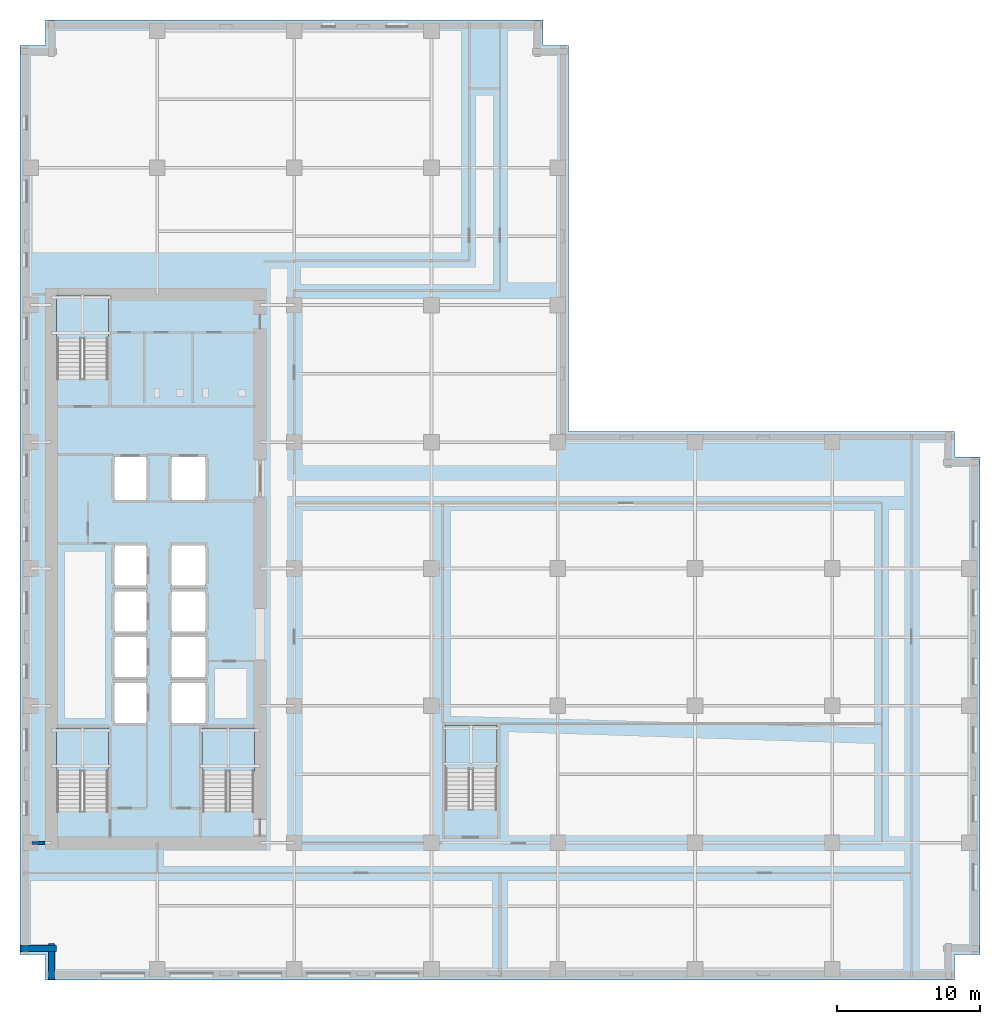
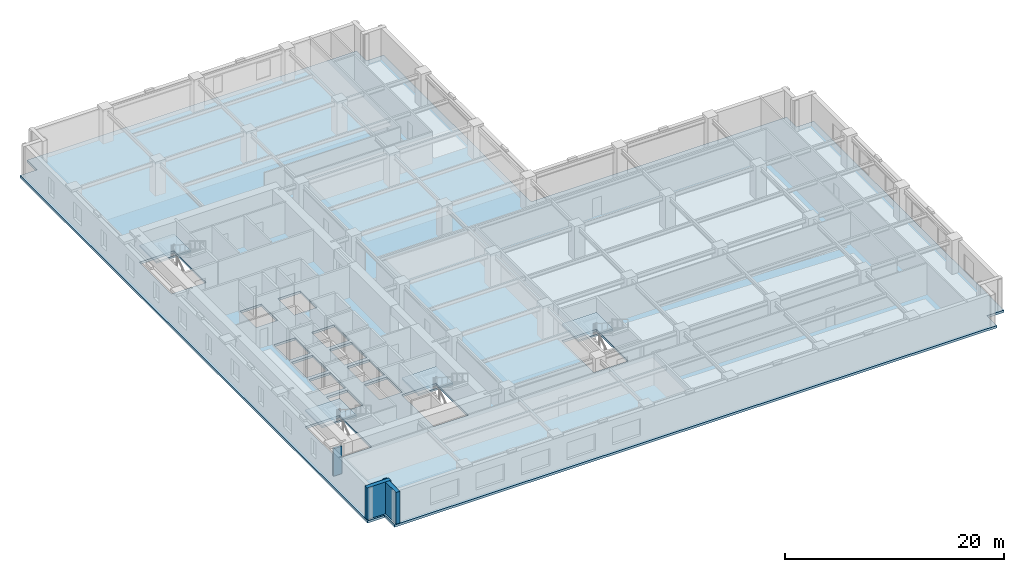
# One storey, part 3 of 13: 5 slabs, 3 walls, 4 elements without a shape of their own.
"""IFC4 building model written with IfcOpenShell, lengths in metres."""

from ifc_helpers import new_model, si_unit, direction, frame, frame_2d, origin, place, context, subcontext, project, spatial, polyline, rectangle, outline, extrude, material, layer, layer_set, type_object, element, aggregate, save


model = new_model("IFC4")

# Units and contexts
model_context = context("Model", 3, precision=1e-05, world=origin(), true_north=direction((0.0, 1.0)))
body_context = subcontext(model_context, "Body", "Model", "MODEL_VIEW")
ifc_project = project(units=[si_unit("LENGTHUNIT", "METRE"), si_unit("AREAUNIT", "SQUARE_METRE"), si_unit("VOLUMEUNIT", "CUBIC_METRE"), si_unit("PLANEANGLEUNIT", "RADIAN"), si_unit("MASSUNIT", "GRAM", prefix="KILO")], contexts=[model_context])

# Site, building, storey
site_placement = place(None, origin())
site = spatial("IfcSite", under=ifc_project, at=site_placement, CompositionType="ELEMENT")
building_placement = place(site_placement, origin())
building = spatial("IfcBuilding", under=site, at=building_placement, Name="Norrvale University Quadrangle", CompositionType="ELEMENT")
storey_placement = place(building_placement, frame((0.0, 0.0, 85.0)))
storey = spatial("IfcBuildingStorey", under=building, at=storey_placement, Name="L21", CompositionType="ELEMENT", Elevation=85.0)

# Stair, slab
ifc_material_1 = material(Name="Concrete C40/50", Category="concrete")
stair_type = type_object("IfcStairType", Name="Stair Tower Typ 3800", PredefinedType="TWO_STRAIGHT_RUN_STAIR", material=ifc_material_1)
stair_1_placement = place(storey_placement, origin())
stair_1 = element("IfcStair", 1, at=stair_1_placement, inside=storey, type_object=stair_type, Name="Exit Stair ST-01 L21", PredefinedType="TWO_STRAIGHT_RUN_STAIR")
ifc_layer_1 = layer(ifc_material_1, 0.199951171875, Name="Concrete C40/50")
ifc_layer_set_1 = layer_set([ifc_layer_1], Name="Concrete C40/50")
slab_type_1 = type_object("IfcSlabType", Name="Slab Landing 200", PredefinedType="LANDING", material=ifc_layer_set_1)
slab_1_placement = place(storey_placement, frame((0.0, 0.0, 1.699951171875)))
slab_1 = element("IfcSlab", 2, at=slab_1_placement, type_object=slab_type_1, Name="Exit Stair ST-01 L21 Mid Landing", PredefinedType="LANDING", context=body_context, shape_type="SweptSolid", body=[
    extrude(outline(polyline([(2.550048828125, 14.590087890625), (6.199951171875, 14.590087890625), (6.199951171875, 17.64990234375), (2.550048828125, 17.64990234375), (2.550048828125, 14.590087890625)])), origin(), (0.0, 0.0, 1.0), 0.199951171875),
])
aggregate(stair_1, [slab_1])

stair_2_placement = place(storey_placement, origin())
stair_2 = element("IfcStair", 3, at=stair_2_placement, inside=storey, type_object=stair_type, Name="Exit Stair ST-02 L21", PredefinedType="TWO_STRAIGHT_RUN_STAIR")
slab_2_placement = place(storey_placement, frame((0.0, 0.0, 1.699951171875)))
slab_2 = element("IfcSlab", 4, at=slab_2_placement, type_object=slab_type_1, Name="Exit Stair ST-02 L21 Mid Landing", PredefinedType="LANDING", context=body_context, shape_type="SweptSolid", body=[
    extrude(outline(polyline([(2.550048828125, 44.889892578125), (6.199951171875, 44.889892578125), (6.199951171875, 47.949951171875), (2.550048828125, 47.949951171875), (2.550048828125, 44.889892578125)])), origin(), (0.0, 0.0, 1.0), 0.199951171875),
])
aggregate(stair_2, [slab_2])

stair_3_placement = place(storey_placement, origin())
stair_3 = element("IfcStair", 5, at=stair_3_placement, inside=storey, type_object=stair_type, Name="Exit Stair ST-03 L21", PredefinedType="TWO_STRAIGHT_RUN_STAIR")
slab_3_placement = place(storey_placement, frame((0.0, 0.0, 1.699951171875)))
slab_3 = element("IfcSlab", 6, at=slab_3_placement, type_object=slab_type_1, Name="Exit Stair ST-03 L21 Mid Landing", PredefinedType="LANDING", context=body_context, shape_type="SweptSolid", body=[
    extrude(outline(polyline([(12.75, 14.590087890625), (16.39990234375, 14.590087890625), (16.39990234375, 17.64990234375), (12.75, 17.64990234375), (12.75, 14.590087890625)])), origin(), (0.0, 0.0, 1.0), 0.199951171875),
])
aggregate(stair_3, [slab_3])

stair_4_placement = place(storey_placement, origin())
stair_4 = element("IfcStair", 7, at=stair_4_placement, inside=storey, type_object=stair_type, Name="Exit Stair ST-04 L21", PredefinedType="TWO_STRAIGHT_RUN_STAIR")
slab_4_placement = place(storey_placement, frame((0.0, 0.0, 1.699951171875)))
slab_4 = element("IfcSlab", 8, at=slab_4_placement, type_object=slab_type_1, Name="Exit Stair ST-04 L21 Mid Landing", PredefinedType="LANDING", context=body_context, shape_type="SweptSolid", body=[
    extrude(outline(polyline([(29.75, 14.739990234375), (33.39990234375, 14.739990234375), (33.39990234375, 17.800048828125), (29.75, 17.800048828125), (29.75, 14.739990234375)])), origin(), (0.0, 0.0, 1.0), 0.199951171875),
])
aggregate(stair_4, [slab_4])

# Slab
ifc_layer_2 = layer(ifc_material_1, 0.260009765625, Name="Concrete C40/50")
ifc_layer_set_2 = layer_set([ifc_layer_2], Name="Concrete C40/50")
slab_type_2 = type_object("IfcSlabType", Name="Slab Tower Typ 260", PredefinedType="FLOOR", material=ifc_layer_set_2)
slab_5_placement = place(storey_placement, frame((0.0, 0.0, -0.260009765625)))
element("IfcSlab", 9, at=slab_5_placement, inside=storey, type_object=slab_type_2, Name="Tower L21 Floor Slab", PredefinedType="FLOOR", context=body_context, shape_type="SweptSolid", body=[
    extrude(outline(polyline([(1.800048828125, 0.0), (65.39990234375, 0.0), (65.39990234375, 1.800048828125), (67.199951171875, 1.800048828125), (67.199951171875, 36.60009765625), (65.39990234375, 36.60009765625), (65.39990234375, 38.39990234375), (38.39990234375, 38.39990234375), (38.39990234375, 65.39990234375), (36.60009765625, 65.39990234375), (36.60009765625, 67.199951171875), (1.800048828125, 67.199951171875), (1.800048828125, 65.39990234375), (0.0, 65.39990234375), (0.0, 1.800048828125), (1.800048828125, 1.800048828125), (1.800048828125, 0.0)]), holes=[polyline([(2.550048828125, 11.81005859375), (6.199951171875, 11.81005859375), (6.199951171875, 17.64990234375), (2.550048828125, 17.64990234375), (2.550048828125, 11.81005859375)]), polyline([(2.550048828125, 42.110107421875), (6.199951171875, 42.110107421875), (6.199951171875, 47.949951171875), (2.550048828125, 47.949951171875), (2.550048828125, 42.110107421875)]), polyline([(12.75, 11.81005859375), (16.39990234375, 11.81005859375), (16.39990234375, 17.64990234375), (12.75, 17.64990234375), (12.75, 11.81005859375)]), polyline([(29.75, 11.9599609375), (33.39990234375, 11.9599609375), (33.39990234375, 17.800048828125), (29.75, 17.800048828125), (29.75, 11.9599609375)]), polyline([(6.60009765625, 18.0), (8.85009765625, 18.0), (8.85009765625, 20.800048828125), (6.60009765625, 20.800048828125), (6.60009765625, 18.0)]), polyline([(6.60009765625, 21.199951171875), (8.85009765625, 21.199951171875), (8.85009765625, 24.0), (6.60009765625, 24.0), (6.60009765625, 21.199951171875)]), polyline([(6.60009765625, 24.39990234375), (8.85009765625, 24.39990234375), (8.85009765625, 27.199951171875), (6.60009765625, 27.199951171875), (6.60009765625, 24.39990234375)]), polyline([(6.60009765625, 27.60009765625), (8.85009765625, 27.60009765625), (8.85009765625, 30.39990234375), (6.60009765625, 30.39990234375), (6.60009765625, 27.60009765625)]), polyline([(10.60009765625, 18.0), (13.0, 18.0), (13.0, 20.800048828125), (10.60009765625, 20.800048828125), (10.60009765625, 18.0)]), polyline([(10.60009765625, 21.199951171875), (13.0, 21.199951171875), (13.0, 24.0), (10.60009765625, 24.0), (10.60009765625, 21.199951171875)]), polyline([(10.60009765625, 24.39990234375), (13.0, 24.39990234375), (13.0, 27.199951171875), (10.60009765625, 27.199951171875), (10.60009765625, 24.39990234375)]), polyline([(10.60009765625, 27.60009765625), (13.0, 27.60009765625), (13.0, 30.39990234375), (10.60009765625, 30.39990234375), (10.60009765625, 27.60009765625)]), polyline([(6.60009765625, 33.60009765625), (8.85009765625, 33.60009765625), (8.85009765625, 36.60009765625), (6.60009765625, 36.60009765625), (6.60009765625, 33.60009765625)]), polyline([(10.60009765625, 33.60009765625), (13.0, 33.60009765625), (13.0, 36.60009765625), (10.60009765625, 36.60009765625), (10.60009765625, 33.60009765625)])]), origin(), (0.0, 0.0, 1.0), 0.260009765625),
])

# Walls
ifc_material_2 = material(Name="Buff Norman Clay Brick Masonry", Category="masonry")
ifc_layer_3 = layer(ifc_material_2, 0.419921875, Name="Buff Norman Clay Brick Masonry")
ifc_layer_set_3 = layer_set([ifc_layer_3], Name="Buff Norman Clay Brick Masonry")
wall_type_1 = type_object("IfcWallType", Name="Wall Buff Brick 420", PredefinedType="SOLIDWALL", material=ifc_layer_set_3)
for number, where, z_axis, x_axis, name in (
    (10, (0.0400390625, 2.18994140625, 0.0), (0.0, 0.0, 1.0), (1.0, 0.0, 0.0), "Exterior Brick Facade Wall L21-15.1"),
    (11, (2.18994140625, 2.5400390625, 0.0), (0.0, 0.0, 1.0), (0.0, -1.0, 0.0), "Exterior Brick Facade Wall L21-16.1"),
):
    element("IfcWall", number, at=place(storey_placement, frame(where, z_axis=z_axis, x_axis=x_axis)), inside=storey, type_object=wall_type_1, Name=name, PredefinedType="SOLIDWALL", context=body_context, shape_type="SweptSolid", body=[
        extrude(rectangle(XDim=2.5, YDim=0.419921875, at=frame_2d((1.25, 0.0))), origin(), (0.0, 0.0, 1.0), 3.5400390625),
    ])
ifc_material_3 = material(Name="Concrete Blockwork 20 MPa Rated Wall", Category="masonry")
ifc_layer_4 = layer(ifc_material_3, 0.199951171875, Name="Concrete Blockwork 20 MPa Rated Wall")
ifc_layer_set_4 = layer_set([ifc_layer_4], Name="Concrete Blockwork 20 MPa Rated Wall")
wall_type_2 = type_object("IfcWallType", Name="Wall Lobby 200", PredefinedType="SOLIDWALL", material=ifc_layer_set_4)
wall_placement = place(storey_placement, frame((0.85009765625, 9.60009765625, 0.0), z_axis=(0.0, 0.0, 1.0), x_axis=(1.0, 0.0, 0.0)))
element("IfcWall", 12, at=wall_placement, inside=storey, type_object=wall_type_2, Name="Interior Partition WL-L21-CWRET-S", PredefinedType="SOLIDWALL", context=body_context, shape_type="SweptSolid", body=[
    extrude(rectangle(XDim=0.89501953125, YDim=0.199951171875, at=frame_2d((0.447509765625, 0.0))), origin(), (0.0, 0.0, 1.0), 3.071044921875),
])

save(model, "model.ifc")
